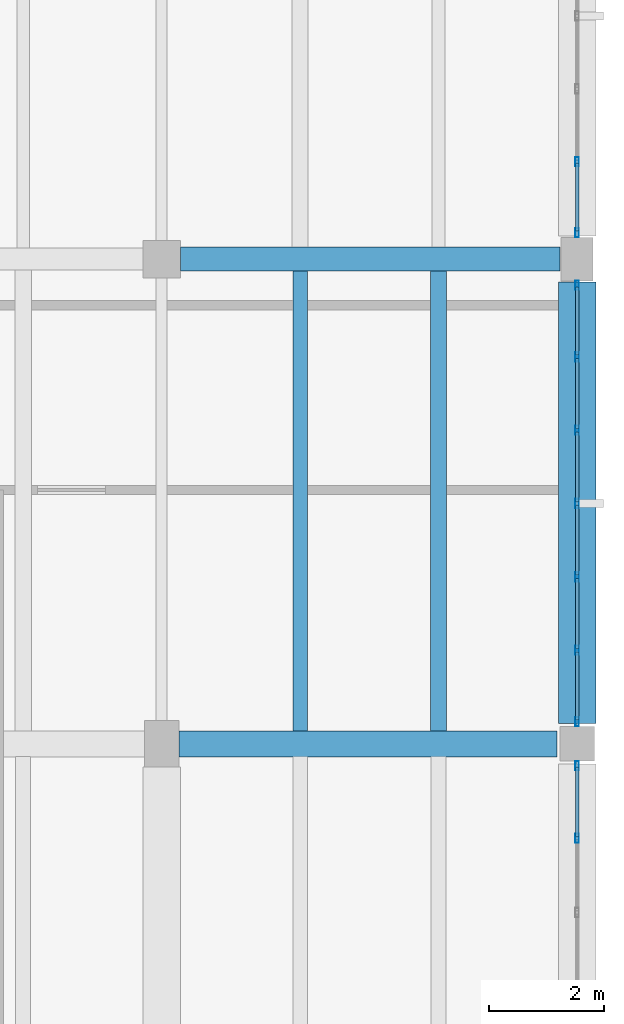
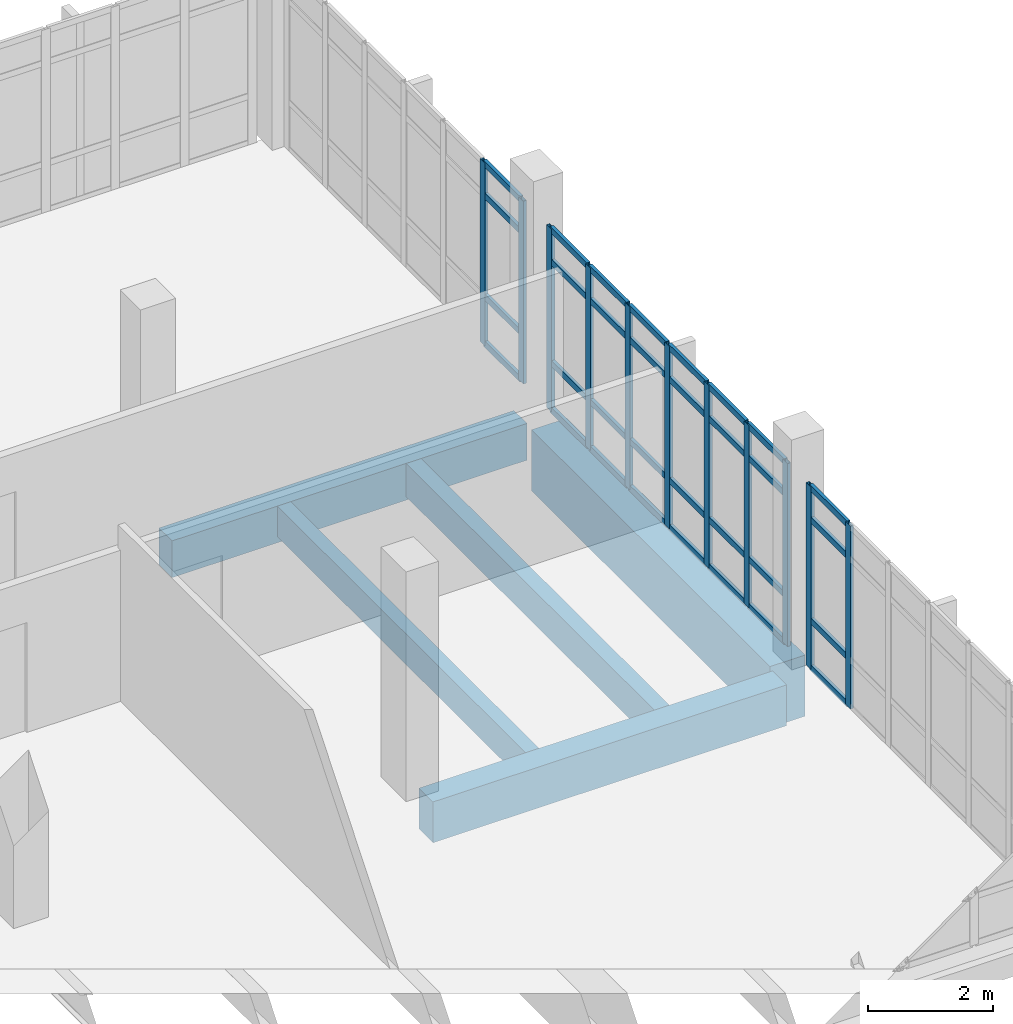
# One storey, part 77 of 116: 43 members, 5 beams, 3 elements without a shape of their own.
"""IFC4 building model written with IfcOpenShell, lengths in metres."""

import ifcopenshell
import ifcopenshell.guid

model = None  # the IFC model being written
_history = None  # IfcOwnerHistory: only IFC2X3 demands one
_inside = {}  # id of a spatial element -> (the spatial element, [elements in it])
_under = {}  # id of a project, library or spatial element -> (it, [spatial elements below it])
_declared = {}  # id of a project -> (the project, [libraries it declares])
_typed = {}  # id of a type object -> (the type object, [elements of that type])
_made_of = {}  # id of a material, layer set ... -> (it, [elements and type objects made of it])


def new_model(schema):
    """Start an empty IFC model of exactly this schema.

    Asked for "IFC4X3", IfcOpenShell would pick the latest addendum, in which some entities
    have other attributes; the version numbers below select the first issue.
    IFC2X3 requires an IfcOwnerHistory on every rooted entity: one is made here for all.
    """
    global model, _history
    if schema == "IFC4X3":
        model = ifcopenshell.file(schema_version=(4, 3, 0, 0))
    else:
        model = ifcopenshell.file(schema=schema)
    _inside.clear()
    _under.clear()
    _declared.clear()
    _typed.clear()
    _made_of.clear()
    _history = None
    if model.schema == "IFC2X3":
        org = make("IfcOrganization", Name="unknown")
        user = make(
            "IfcPersonAndOrganization",
            ThePerson=make("IfcPerson", FamilyName="unknown"),
            TheOrganization=org,
        )
        app = make(
            "IfcApplication",
            ApplicationDeveloper=org,
            Version="unknown",
            ApplicationFullName="unknown",
            ApplicationIdentifier="unknown",
        )
        _history = make(
            "IfcOwnerHistory",
            OwningUser=user,
            OwningApplication=app,
            ChangeAction="ADDED",
            CreationDate=0,
        )
    return model


def make(cls, **values):
    """One entity of the class cls with the attributes given. An attribute that is None is left unset."""
    return model.create_entity(
        cls, **{name: value for name, value in values.items() if value is not None}
    )


def rooted(cls, **values):
    """An entity with a GlobalId (a new one), such as an element, a storey or a relation."""
    return make(cls, GlobalId=ifcopenshell.guid.new(), OwnerHistory=_history, **values)


def si_unit(unit_type, name, prefix=None):
    """IfcSIUnit, for example si_unit("LENGTHUNIT", "METRE", prefix="MILLI")."""
    return make("IfcSIUnit", UnitType=unit_type, Prefix=prefix, Name=name)


def assignment(units):
    """IfcUnitAssignment: the units of a project."""
    return None if units is None else make("IfcUnitAssignment", Units=units)


def point(xyz):
    """IfcCartesianPoint."""
    return None if xyz is None else make("IfcCartesianPoint", Coordinates=xyz)


def direction(xyz):
    """IfcDirection."""
    return None if xyz is None else make("IfcDirection", DirectionRatios=xyz)


def frame(location, z_axis=None, x_axis=None):
    """IfcAxis2Placement3D, a coordinate frame: its origin and axes. An axis left out is left unset."""
    return make(
        "IfcAxis2Placement3D",
        Location=point(location),
        Axis=direction(z_axis),
        RefDirection=direction(x_axis),
    )


def frame_2d(location, x_axis=None):
    """IfcAxis2Placement2D, a coordinate frame in the plane: its origin and x axis."""
    return make(
        "IfcAxis2Placement2D", Location=point(location), RefDirection=direction(x_axis)
    )


def origin():
    """The frame at (0, 0, 0) with its axes left unset."""
    return frame((0.0, 0.0, 0.0))


def origin_2d():
    """The frame at (0, 0) in the plane with its x axis left unset."""
    return frame_2d((0.0, 0.0))


def place(relative_to, where):
    """IfcLocalPlacement: puts the frame where relative to a parent placement (None: the world)."""
    return make(
        "IfcLocalPlacement", PlacementRelTo=relative_to, RelativePlacement=where
    )


def context(
    kind, dimensions, precision=None, world=None, true_north=None, identifier=None
):
    """IfcGeometricRepresentationContext, for example the 3D "Model" context."""
    return make(
        "IfcGeometricRepresentationContext",
        ContextIdentifier=identifier,
        ContextType=kind,
        CoordinateSpaceDimension=dimensions,
        Precision=precision,
        WorldCoordinateSystem=world,
        TrueNorth=true_north,
    )


def subcontext(parent, identifier, kind, view, scale=None):
    """IfcGeometricRepresentationSubContext, for example "Body" below "Model"."""
    return make(
        "IfcGeometricRepresentationSubContext",
        ContextIdentifier=identifier,
        ContextType=kind,
        ParentContext=parent,
        TargetScale=scale,
        TargetView=view,
    )


def project(units=None, contexts=None):
    """IfcProject with its units and contexts."""
    return rooted(
        "IfcProject",
        Name="project",
        RepresentationContexts=contexts,
        UnitsInContext=assignment(units),
    )


def spatial(cls, under=None, at=None, **own):
    """A site, building, storey or space (cls), placed at a placement, below another one or the project."""
    s = rooted(cls, ObjectPlacement=at, **own)
    if under is not None:
        _under.setdefault(under.id(), (under, []))[1].append(s)
    return s


def profile(cls, at=None, kind="AREA", **sizes):
    """A parametric profile (cls). Its sizes go by their IFC names, for example OverallWidth=200.0."""
    return make(cls, ProfileType=kind, Position=at, **sizes)


def rectangle(**sizes):
    """IfcRectangleProfileDef."""
    return profile("IfcRectangleProfileDef", **sizes)


def hollow_rectangle(**sizes):
    """IfcRectangleHollowProfileDef."""
    return profile("IfcRectangleHollowProfileDef", **sizes)


def extrude(swept, where, along, depth):
    """IfcExtrudedAreaSolid: the profile swept, set in the frame where, extruded along a direction by depth."""
    return make(
        "IfcExtrudedAreaSolid",
        SweptArea=swept,
        Position=where,
        ExtrudedDirection=direction(along),
        Depth=depth,
    )


def shape(context_of_items, identifier, shape_type, items):
    """IfcShapeRepresentation: the items that make up one representation, for example the "Body"."""
    return make(
        "IfcShapeRepresentation",
        ContextOfItems=context_of_items,
        RepresentationIdentifier=identifier,
        RepresentationType=shape_type,
        Items=items,
    )


def material(Name=None, Category=None):
    """IfcMaterial."""
    return make("IfcMaterial", Name=Name, Category=Category)


def material_profile(
    of_material, cross_section, Name=None, Category=None, Priority=None
):
    """IfcMaterialProfile: a cross section and its material."""
    return make(
        "IfcMaterialProfile",
        Name=Name,
        Material=of_material,
        Profile=cross_section,
        Priority=Priority,
        Category=Category,
    )


def profile_set(profiles, Name=None, composite=None):
    """IfcMaterialProfileSet."""
    return make(
        "IfcMaterialProfileSet",
        Name=Name,
        MaterialProfiles=profiles,
        CompositeProfile=composite,
    )


def made_of(thing, what):
    """Note that an element or type object is made of a material, layer set ...; save() writes the relation."""
    if what is not None:
        _made_of.setdefault(what.id(), (what, []))[1].append(thing)
    return thing


def type_object(cls, material=None, **own):
    """A type object (cls), such as IfcWallType, which elements share."""
    return made_of(rooted(cls, **own), material)


def element(
    cls,
    number,
    at=None,
    inside=None,
    cuts=None,
    type_object=None,
    material=None,
    context=None,
    identifier="Body",
    shape_type=None,
    held_by="IfcProductDefinitionShape",
    body=None,
    shapes=None,
    **own,
):
    """One element of the class cls, such as IfcWall. Its Tag is "e" and its number.

    at: its placement. inside: the storey or other place that contains it. cuts: it is an
    opening in that element (IfcRelVoidsElement). A single representation is given by context,
    identifier, shape_type and body (its items); several are given by shapes. held_by: the class
    of the entity that holds the representations. save() writes the other relations.
    """
    e = rooted(cls, Tag="e%d" % number, ObjectPlacement=at, **own)
    if body is not None:
        shapes = [shape(context, identifier, shape_type, body)]
    if shapes is not None:
        e.Representation = make(held_by, Representations=shapes)
    if inside is not None:
        _inside.setdefault(inside.id(), (inside, []))[1].append(e)
    if cuts is not None:
        rooted(
            "IfcRelVoidsElement", RelatingBuildingElement=cuts, RelatedOpeningElement=e
        )
    if type_object is not None:
        _typed.setdefault(type_object.id(), (type_object, []))[1].append(e)
    return made_of(e, material)


def aggregate(whole, parts):
    """IfcRelAggregates: a whole, such as a stair, and the parts it consists of."""
    return rooted("IfcRelAggregates", RelatingObject=whole, RelatedObjects=parts)


def save(model, path):
    """Write the relations noted so far, then the file.

    IfcRelAggregates (storeys below a building ...), IfcRelContainedInSpatialStructure (elements
    in a storey), IfcRelDefinesByType, IfcRelAssociatesMaterial and IfcRelDeclares: one each for
    every whole, place, type object, material and project.
    """
    for whole, parts in _under.values():
        aggregate(whole, parts)
    for where, things in _inside.values():
        rooted(
            "IfcRelContainedInSpatialStructure",
            RelatedElements=things,
            RelatingStructure=where,
        )
    for kind, things in _typed.values():
        rooted("IfcRelDefinesByType", RelatedObjects=things, RelatingType=kind)
    for what, things in _made_of.values():
        rooted("IfcRelAssociatesMaterial", RelatedObjects=things, RelatingMaterial=what)
    for by, libraries in _declared.values():
        rooted("IfcRelDeclares", RelatingContext=by, RelatedDefinitions=libraries)
    model.write(path)


model = new_model("IFC4")

# Units and contexts
model_context = context("Model", 3, precision=1e-05, world=origin(), true_north=direction((0.0, 1.0)))
body_context = subcontext(model_context, "Body", "Model", "MODEL_VIEW")
ifc_project = project(units=[si_unit("LENGTHUNIT", "METRE"), si_unit("AREAUNIT", "SQUARE_METRE"), si_unit("VOLUMEUNIT", "CUBIC_METRE"), si_unit("PLANEANGLEUNIT", "RADIAN"), si_unit("MASSUNIT", "GRAM", prefix="KILO")], contexts=[model_context])

# Site, building, storey
site_placement = place(None, origin())
site = spatial("IfcSite", under=ifc_project, at=site_placement, CompositionType="ELEMENT")
building_placement = place(site_placement, origin())
building = spatial("IfcBuilding", under=site, at=building_placement, Name="Kalluvel Institute of Natural Sciences", CompositionType="ELEMENT")
storey_placement = place(building_placement, frame((0.0, 0.0, 14.39990234375)))
storey = spatial("IfcBuildingStorey", under=building, at=storey_placement, Name="L03", CompositionType="ELEMENT", Elevation=14.39990234375)

# Beams
ifc_material_1 = material(Name="Concrete M40", Category="concrete")
ifc_material_profile_1 = material_profile(ifc_material_1, rectangle(XDim=0.419921875, YDim=0.719970703125, at=origin_2d()), Name="RCB 420x720")
ifc_profile_set_1 = profile_set([ifc_material_profile_1], Name="Concrete M40")
beam_type_1 = type_object("IfcBeamType", Name="BM-RC420x720", PredefinedType="BEAM", material=ifc_profile_set_1)
beam_1_placement = place(storey_placement, frame((107.925048828125, 119.60009765625, -0.679931640625), z_axis=(1.0, 0.0, 0.0), x_axis=(0.0, 1.0, 0.0)))
element("IfcBeam", 1, at=beam_1_placement, inside=storey, type_object=beam_type_1, Name="L03 girder GIR-L03-EW-X1076-Y1196", PredefinedType="BEAM", context=body_context, shape_type="SweptSolid", body=[
    extrude(rectangle(XDim=0.419921875, YDim=0.719970703125, at=origin_2d()), origin(), (0.0, 0.0, 1.0), 6.574951171875),
])
ifc_material_profile_2 = material_profile(ifc_material_1, rectangle(XDim=0.449951171875, YDim=0.800048828125, at=origin_2d()), Name="RCB 450x800")
ifc_profile_set_2 = profile_set([ifc_material_profile_2], Name="Concrete M40")
beam_type_2 = type_object("IfcBeamType", Name="BM-RC450x800", PredefinedType="BEAM", material=ifc_profile_set_2)
beam_2_placement = place(storey_placement, frame((107.89990234375, 111.199951171875, -0.719970703125), z_axis=(1.0, 0.0, 0.0), x_axis=(0.0, 1.0, 0.0)))
element("IfcBeam", 2, at=beam_2_placement, inside=storey, type_object=beam_type_2, Name="L03 girder GIR-L03-EW-X1076-Y1112", PredefinedType="BEAM", context=body_context, shape_type="SweptSolid", body=[
    extrude(rectangle(XDim=0.449951171875, YDim=0.800048828125, at=origin_2d()), origin(), (0.0, 0.0, 1.0), 6.550048828125),
])
ifc_material_2 = material(Name="Concrete M50", Category="concrete")
ifc_material_profile_3 = material_profile(ifc_material_2, rectangle(XDim=0.64990234375, YDim=1.199951171875, at=origin_2d()), Name="RCB 650x1200")
ifc_profile_set_3 = profile_set([ifc_material_profile_3], Name="Concrete M50")
beam_type_3 = type_object("IfcBeamType", Name="BM-RC650x1200", PredefinedType="BEAM", material=ifc_profile_set_3)
beam_3_placement = place(storey_placement, frame((114.800048828125, 111.550048828125, -0.919921875), z_axis=(0.0, 1.0, 0.0), x_axis=(-1.0, 0.0, 0.0)))
element("IfcBeam", 3, at=beam_3_placement, inside=storey, type_object=beam_type_3, Name="L03 girder GIR-L03-NS-X1148-Y1112", PredefinedType="BEAM", context=body_context, shape_type="SweptSolid", body=[
    extrude(rectangle(XDim=0.64990234375, YDim=1.199951171875, at=origin_2d()), origin(), (0.0, 0.0, 1.0), 7.64990234375),
])

# Curtain wall, members
ifc_material_3 = material(Name="Aluminium AW-6063 T6", Category="aluminium")
curtain_wall_type = type_object("IfcCurtainWallType", Name="CW-WET-45", PredefinedType="USERDEFINED", material=ifc_material_3)
curtain_wall_1_placement = place(storey_placement, origin())
curtain_wall_1 = element("IfcCurtainWall", 4, at=curtain_wall_1_placement, inside=storey, type_object=curtain_wall_type, Name="L03 Gothic lancet curtain wall CWA-L03-X1148-Y1031", ObjectType="UNITISED LANCET FACADE", PredefinedType="USERDEFINED")
ifc_material_profile_4 = material_profile(ifc_material_3, hollow_rectangle(XDim=0.06005859375, YDim=0.159912109375, WallThickness=0.00390625, at=origin_2d()), Name="CWM 60x160")
ifc_profile_set_4 = profile_set([ifc_material_profile_4], Name="Aluminium AW-6063 T6")
member_type_1 = type_object("IfcMemberType", Name="CWM-60x160", PredefinedType="MULLION", material=ifc_profile_set_4)
member_1_placement = place(storey_placement, frame((114.800048828125, 109.5625, 0.0), z_axis=(0.0, 0.0, 1.0), x_axis=(-1.0, 0.0, 0.0)))
member_1 = element("IfcMember", 5, at=member_1_placement, type_object=member_type_1, Name="CW-01 mullion 6", PredefinedType="MULLION", context=body_context, shape_type="SweptSolid", body=[
    extrude(hollow_rectangle(XDim=0.06005859375, YDim=0.159912109375, WallThickness=0.00390625, at=origin_2d()), origin(), (0.0, 0.0, 1.0), 3.580078125),
])
member_2_placement = place(storey_placement, frame((114.800048828125, 110.820068359375, 0.0), z_axis=(0.0, 0.0, 1.0), x_axis=(-1.0, 0.0, 0.0)))
member_2 = element("IfcMember", 6, at=member_2_placement, type_object=member_type_1, Name="CW-01 mullion 7", PredefinedType="MULLION", context=body_context, shape_type="SweptSolid", body=[
    extrude(hollow_rectangle(XDim=0.06005859375, YDim=0.159912109375, WallThickness=0.00390625, at=origin_2d()), origin(), (0.0, 0.0, 1.0), 3.580078125),
])

curtain_wall_2_placement = place(storey_placement, origin())
curtain_wall_2 = element("IfcCurtainWall", 7, at=curtain_wall_2_placement, inside=storey, type_object=curtain_wall_type, Name="L03 Gothic lancet curtain wall CWA-L03-X1148-Y1116", ObjectType="UNITISED LANCET FACADE", PredefinedType="USERDEFINED")
member_3_placement = place(storey_placement, frame((114.800048828125, 111.580078125, 0.0), z_axis=(0.0, 0.0, 1.0), x_axis=(-1.0, 0.0, 0.0)))
member_3 = element("IfcMember", 8, at=member_3_placement, type_object=member_type_1, Name="CW-01 mullion 1", PredefinedType="MULLION", context=body_context, shape_type="SweptSolid", body=[
    extrude(hollow_rectangle(XDim=0.06005859375, YDim=0.159912109375, WallThickness=0.00390625, at=origin_2d()), origin(), (0.0, 0.0, 1.0), 3.580078125),
])
member_4_placement = place(storey_placement, frame((114.800048828125, 112.82080078125, 0.0), z_axis=(0.0, 0.0, 1.0), x_axis=(-1.0, 0.0, 0.0)))
member_4 = element("IfcMember", 9, at=member_4_placement, type_object=member_type_1, Name="CW-01 mullion 2", PredefinedType="MULLION", context=body_context, shape_type="SweptSolid", body=[
    extrude(hollow_rectangle(XDim=0.06005859375, YDim=0.159912109375, WallThickness=0.00390625, at=origin_2d()), origin(), (0.0, 0.0, 1.0), 3.580078125),
])
member_5_placement = place(storey_placement, frame((114.800048828125, 114.091552734375, 0.0), z_axis=(0.0, 0.0, 1.0), x_axis=(-1.0, 0.0, 0.0)))
member_5 = element("IfcMember", 10, at=member_5_placement, type_object=member_type_1, Name="CW-01 mullion 3", PredefinedType="MULLION", context=body_context, shape_type="SweptSolid", body=[
    extrude(hollow_rectangle(XDim=0.06005859375, YDim=0.159912109375, WallThickness=0.00390625, at=origin_2d()), origin(), (0.0, 0.0, 1.0), 3.580078125),
])
member_6_placement = place(storey_placement, frame((114.800048828125, 115.362548828125, 0.0), z_axis=(0.0, 0.0, 1.0), x_axis=(-1.0, 0.0, 0.0)))
member_6 = element("IfcMember", 11, at=member_6_placement, type_object=member_type_1, Name="CW-01 mullion 4", PredefinedType="MULLION", context=body_context, shape_type="SweptSolid", body=[
    extrude(hollow_rectangle(XDim=0.06005859375, YDim=0.159912109375, WallThickness=0.00390625, at=origin_2d()), origin(), (0.0, 0.0, 1.0), 3.580078125),
])
member_7_placement = place(storey_placement, frame((114.800048828125, 116.63330078125, 0.0), z_axis=(0.0, 0.0, 1.0), x_axis=(-1.0, 0.0, 0.0)))
member_7 = element("IfcMember", 12, at=member_7_placement, type_object=member_type_1, Name="CW-01 mullion 5", PredefinedType="MULLION", context=body_context, shape_type="SweptSolid", body=[
    extrude(hollow_rectangle(XDim=0.06005859375, YDim=0.159912109375, WallThickness=0.00390625, at=origin_2d()), origin(), (0.0, 0.0, 1.0), 3.580078125),
])
member_8_placement = place(storey_placement, frame((114.800048828125, 117.904052734375, 0.0), z_axis=(0.0, 0.0, 1.0), x_axis=(-1.0, 0.0, 0.0)))
member_8 = element("IfcMember", 13, at=member_8_placement, type_object=member_type_1, Name="CW-01 mullion 6", PredefinedType="MULLION", context=body_context, shape_type="SweptSolid", body=[
    extrude(hollow_rectangle(XDim=0.06005859375, YDim=0.159912109375, WallThickness=0.00390625, at=origin_2d()), origin(), (0.0, 0.0, 1.0), 3.580078125),
])
member_9_placement = place(storey_placement, frame((114.800048828125, 119.14501953125, 0.0), z_axis=(0.0, 0.0, 1.0), x_axis=(-1.0, 0.0, 0.0)))
member_9 = element("IfcMember", 14, at=member_9_placement, type_object=member_type_1, Name="CW-01 mullion 7", PredefinedType="MULLION", context=body_context, shape_type="SweptSolid", body=[
    extrude(hollow_rectangle(XDim=0.06005859375, YDim=0.159912109375, WallThickness=0.00390625, at=origin_2d()), origin(), (0.0, 0.0, 1.0), 3.580078125),
])

curtain_wall_3_placement = place(storey_placement, origin())
curtain_wall_3 = element("IfcCurtainWall", 15, at=curtain_wall_3_placement, inside=storey, type_object=curtain_wall_type, Name="L03 Gothic lancet curtain wall CWA-L03-X1148-Y1200", ObjectType="UNITISED LANCET FACADE", PredefinedType="USERDEFINED")
member_10_placement = place(storey_placement, frame((114.800048828125, 120.054931640625, 0.0), z_axis=(0.0, 0.0, 1.0), x_axis=(-1.0, 0.0, 0.0)))
member_10 = element("IfcMember", 16, at=member_10_placement, type_object=member_type_1, Name="CW-01 mullion 1", PredefinedType="MULLION", context=body_context, shape_type="SweptSolid", body=[
    extrude(hollow_rectangle(XDim=0.06005859375, YDim=0.159912109375, WallThickness=0.00390625, at=origin_2d()), origin(), (0.0, 0.0, 1.0), 3.580078125),
])
member_11_placement = place(storey_placement, frame((114.800048828125, 121.28759765625, 0.0), z_axis=(0.0, 0.0, 1.0), x_axis=(-1.0, 0.0, 0.0)))
member_11 = element("IfcMember", 17, at=member_11_placement, type_object=member_type_1, Name="CW-01 mullion 2", PredefinedType="MULLION", context=body_context, shape_type="SweptSolid", body=[
    extrude(hollow_rectangle(XDim=0.06005859375, YDim=0.159912109375, WallThickness=0.00390625, at=origin_2d()), origin(), (0.0, 0.0, 1.0), 3.580078125),
])

# Member
ifc_material_profile_5 = material_profile(ifc_material_3, hollow_rectangle(XDim=0.06005859375, YDim=0.1201171875, WallThickness=0.00390625, at=origin_2d()), Name="CWT 60x120")
ifc_profile_set_5 = profile_set([ifc_material_profile_5], Name="Aluminium AW-6063 T6")
member_type_2 = type_object("IfcMemberType", Name="CWT-60x120", PredefinedType="USERDEFINED", material=ifc_profile_set_5)
member_12_placement = place(storey_placement, frame((114.800048828125, 109.592529296875, 0.030029296875), z_axis=(0.0, 1.0, 0.0), x_axis=(-1.0, 0.0, 0.0)))
member_12 = element("IfcMember", 18, at=member_12_placement, type_object=member_type_2, Name="CW-01 transom 6.1", ObjectType="TRANSOM", PredefinedType="USERDEFINED", context=body_context, shape_type="SweptSolid", body=[
    extrude(hollow_rectangle(XDim=0.06005859375, YDim=0.1201171875, WallThickness=0.00390625, at=origin_2d()), origin(), (0.0, 0.0, 1.0), 1.197509765625),
])

member_13_placement = place(storey_placement, frame((114.800048828125, 109.592529296875, 0.9501953125), z_axis=(0.0, 1.0, 0.0), x_axis=(-1.0, 0.0, 0.0)))
member_13 = element("IfcMember", 19, at=member_13_placement, type_object=member_type_2, Name="CW-01 transom 6.2", ObjectType="TRANSOM", PredefinedType="USERDEFINED", context=body_context, shape_type="SweptSolid", body=[
    extrude(hollow_rectangle(XDim=0.06005859375, YDim=0.1201171875, WallThickness=0.00390625, at=origin_2d()), origin(), (0.0, 0.0, 1.0), 1.197509765625),
])

member_14_placement = place(storey_placement, frame((114.800048828125, 109.592529296875, 2.93017578125), z_axis=(0.0, 1.0, 0.0), x_axis=(-1.0, 0.0, 0.0)))
member_14 = element("IfcMember", 20, at=member_14_placement, type_object=member_type_2, Name="CW-01 transom 6.3", ObjectType="TRANSOM", PredefinedType="USERDEFINED", context=body_context, shape_type="SweptSolid", body=[
    extrude(hollow_rectangle(XDim=0.06005859375, YDim=0.1201171875, WallThickness=0.00390625, at=origin_2d()), origin(), (0.0, 0.0, 1.0), 1.197509765625),
])

member_15_placement = place(storey_placement, frame((114.800048828125, 109.592529296875, 3.550048828125), z_axis=(0.0, 1.0, 0.0), x_axis=(-1.0, 0.0, 0.0)))
member_15 = element("IfcMember", 21, at=member_15_placement, type_object=member_type_2, Name="CW-01 transom 6.4", ObjectType="TRANSOM", PredefinedType="USERDEFINED", context=body_context, shape_type="SweptSolid", body=[
    extrude(hollow_rectangle(XDim=0.06005859375, YDim=0.1201171875, WallThickness=0.00390625, at=origin_2d()), origin(), (0.0, 0.0, 1.0), 1.197509765625),
])

aggregate(curtain_wall_1, [member_1, member_2, member_12, member_13, member_14, member_15])

member_16_placement = place(storey_placement, frame((114.800048828125, 111.610107421875, 0.030029296875), z_axis=(0.0, 1.0, 0.0), x_axis=(-1.0, 0.0, 0.0)))
member_16 = element("IfcMember", 22, at=member_16_placement, type_object=member_type_2, Name="CW-01 transom 1.1", ObjectType="TRANSOM", PredefinedType="USERDEFINED", context=body_context, shape_type="SweptSolid", body=[
    extrude(hollow_rectangle(XDim=0.06005859375, YDim=0.1201171875, WallThickness=0.00390625, at=origin_2d()), origin(), (0.0, 0.0, 1.0), 1.1806640625),
])

member_17_placement = place(storey_placement, frame((114.800048828125, 111.610107421875, 0.9501953125), z_axis=(0.0, 1.0, 0.0), x_axis=(-1.0, 0.0, 0.0)))
member_17 = element("IfcMember", 23, at=member_17_placement, type_object=member_type_2, Name="CW-01 transom 1.2", ObjectType="TRANSOM", PredefinedType="USERDEFINED", context=body_context, shape_type="SweptSolid", body=[
    extrude(hollow_rectangle(XDim=0.06005859375, YDim=0.1201171875, WallThickness=0.00390625, at=origin_2d()), origin(), (0.0, 0.0, 1.0), 1.1806640625),
])

member_18_placement = place(storey_placement, frame((114.800048828125, 111.610107421875, 2.93017578125), z_axis=(0.0, 1.0, 0.0), x_axis=(-1.0, 0.0, 0.0)))
member_18 = element("IfcMember", 24, at=member_18_placement, type_object=member_type_2, Name="CW-01 transom 1.3", ObjectType="TRANSOM", PredefinedType="USERDEFINED", context=body_context, shape_type="SweptSolid", body=[
    extrude(hollow_rectangle(XDim=0.06005859375, YDim=0.1201171875, WallThickness=0.00390625, at=origin_2d()), origin(), (0.0, 0.0, 1.0), 1.1806640625),
])

member_19_placement = place(storey_placement, frame((114.800048828125, 111.610107421875, 3.550048828125), z_axis=(0.0, 1.0, 0.0), x_axis=(-1.0, 0.0, 0.0)))
member_19 = element("IfcMember", 25, at=member_19_placement, type_object=member_type_2, Name="CW-01 transom 1.4", ObjectType="TRANSOM", PredefinedType="USERDEFINED", context=body_context, shape_type="SweptSolid", body=[
    extrude(hollow_rectangle(XDim=0.06005859375, YDim=0.1201171875, WallThickness=0.00390625, at=origin_2d()), origin(), (0.0, 0.0, 1.0), 1.1806640625),
])

member_20_placement = place(storey_placement, frame((114.800048828125, 112.850830078125, 0.030029296875), z_axis=(0.0, 1.0, 0.0), x_axis=(-1.0, 0.0, 0.0)))
member_20 = element("IfcMember", 26, at=member_20_placement, type_object=member_type_2, Name="CW-01 transom 2.1", ObjectType="TRANSOM", PredefinedType="USERDEFINED", context=body_context, shape_type="SweptSolid", body=[
    extrude(hollow_rectangle(XDim=0.06005859375, YDim=0.1201171875, WallThickness=0.00390625, at=origin_2d()), origin(), (0.0, 0.0, 1.0), 1.2109375),
])

member_21_placement = place(storey_placement, frame((114.800048828125, 112.850830078125, 0.9501953125), z_axis=(0.0, 1.0, 0.0), x_axis=(-1.0, 0.0, 0.0)))
member_21 = element("IfcMember", 27, at=member_21_placement, type_object=member_type_2, Name="CW-01 transom 2.2", ObjectType="TRANSOM", PredefinedType="USERDEFINED", context=body_context, shape_type="SweptSolid", body=[
    extrude(hollow_rectangle(XDim=0.06005859375, YDim=0.1201171875, WallThickness=0.00390625, at=origin_2d()), origin(), (0.0, 0.0, 1.0), 1.2109375),
])

member_22_placement = place(storey_placement, frame((114.800048828125, 112.850830078125, 2.93017578125), z_axis=(0.0, 1.0, 0.0), x_axis=(-1.0, 0.0, 0.0)))
member_22 = element("IfcMember", 28, at=member_22_placement, type_object=member_type_2, Name="CW-01 transom 2.3", ObjectType="TRANSOM", PredefinedType="USERDEFINED", context=body_context, shape_type="SweptSolid", body=[
    extrude(hollow_rectangle(XDim=0.06005859375, YDim=0.1201171875, WallThickness=0.00390625, at=origin_2d()), origin(), (0.0, 0.0, 1.0), 1.2109375),
])

member_23_placement = place(storey_placement, frame((114.800048828125, 112.850830078125, 3.550048828125), z_axis=(0.0, 1.0, 0.0), x_axis=(-1.0, 0.0, 0.0)))
member_23 = element("IfcMember", 29, at=member_23_placement, type_object=member_type_2, Name="CW-01 transom 2.4", ObjectType="TRANSOM", PredefinedType="USERDEFINED", context=body_context, shape_type="SweptSolid", body=[
    extrude(hollow_rectangle(XDim=0.06005859375, YDim=0.1201171875, WallThickness=0.00390625, at=origin_2d()), origin(), (0.0, 0.0, 1.0), 1.2109375),
])

member_24_placement = place(storey_placement, frame((114.800048828125, 114.12158203125, 0.030029296875), z_axis=(0.0, 1.0, 0.0), x_axis=(-1.0, 0.0, 0.0)))
member_24 = element("IfcMember", 30, at=member_24_placement, type_object=member_type_2, Name="CW-01 transom 3.1", ObjectType="TRANSOM", PredefinedType="USERDEFINED", context=body_context, shape_type="SweptSolid", body=[
    extrude(hollow_rectangle(XDim=0.06005859375, YDim=0.1201171875, WallThickness=0.00390625, at=origin_2d()), origin(), (0.0, 0.0, 1.0), 1.2109375),
])

member_25_placement = place(storey_placement, frame((114.800048828125, 114.12158203125, 0.9501953125), z_axis=(0.0, 1.0, 0.0), x_axis=(-1.0, 0.0, 0.0)))
member_25 = element("IfcMember", 31, at=member_25_placement, type_object=member_type_2, Name="CW-01 transom 3.2", ObjectType="TRANSOM", PredefinedType="USERDEFINED", context=body_context, shape_type="SweptSolid", body=[
    extrude(hollow_rectangle(XDim=0.06005859375, YDim=0.1201171875, WallThickness=0.00390625, at=origin_2d()), origin(), (0.0, 0.0, 1.0), 1.2109375),
])

member_26_placement = place(storey_placement, frame((114.800048828125, 114.12158203125, 2.93017578125), z_axis=(0.0, 1.0, 0.0), x_axis=(-1.0, 0.0, 0.0)))
member_26 = element("IfcMember", 32, at=member_26_placement, type_object=member_type_2, Name="CW-01 transom 3.3", ObjectType="TRANSOM", PredefinedType="USERDEFINED", context=body_context, shape_type="SweptSolid", body=[
    extrude(hollow_rectangle(XDim=0.06005859375, YDim=0.1201171875, WallThickness=0.00390625, at=origin_2d()), origin(), (0.0, 0.0, 1.0), 1.2109375),
])

member_27_placement = place(storey_placement, frame((114.800048828125, 114.12158203125, 3.550048828125), z_axis=(0.0, 1.0, 0.0), x_axis=(-1.0, 0.0, 0.0)))
member_27 = element("IfcMember", 33, at=member_27_placement, type_object=member_type_2, Name="CW-01 transom 3.4", ObjectType="TRANSOM", PredefinedType="USERDEFINED", context=body_context, shape_type="SweptSolid", body=[
    extrude(hollow_rectangle(XDim=0.06005859375, YDim=0.1201171875, WallThickness=0.00390625, at=origin_2d()), origin(), (0.0, 0.0, 1.0), 1.2109375),
])

member_28_placement = place(storey_placement, frame((114.800048828125, 115.392578125, 0.030029296875), z_axis=(0.0, 1.0, 0.0), x_axis=(-1.0, 0.0, 0.0)))
member_28 = element("IfcMember", 34, at=member_28_placement, type_object=member_type_2, Name="CW-01 transom 4.1", ObjectType="TRANSOM", PredefinedType="USERDEFINED", context=body_context, shape_type="SweptSolid", body=[
    extrude(hollow_rectangle(XDim=0.06005859375, YDim=0.1201171875, WallThickness=0.00390625, at=origin_2d()), origin(), (0.0, 0.0, 1.0), 1.210693359375),
])

member_29_placement = place(storey_placement, frame((114.800048828125, 115.392578125, 0.9501953125), z_axis=(0.0, 1.0, 0.0), x_axis=(-1.0, 0.0, 0.0)))
member_29 = element("IfcMember", 35, at=member_29_placement, type_object=member_type_2, Name="CW-01 transom 4.2", ObjectType="TRANSOM", PredefinedType="USERDEFINED", context=body_context, shape_type="SweptSolid", body=[
    extrude(hollow_rectangle(XDim=0.06005859375, YDim=0.1201171875, WallThickness=0.00390625, at=origin_2d()), origin(), (0.0, 0.0, 1.0), 1.210693359375),
])

member_30_placement = place(storey_placement, frame((114.800048828125, 115.392578125, 2.93017578125), z_axis=(0.0, 1.0, 0.0), x_axis=(-1.0, 0.0, 0.0)))
member_30 = element("IfcMember", 36, at=member_30_placement, type_object=member_type_2, Name="CW-01 transom 4.3", ObjectType="TRANSOM", PredefinedType="USERDEFINED", context=body_context, shape_type="SweptSolid", body=[
    extrude(hollow_rectangle(XDim=0.06005859375, YDim=0.1201171875, WallThickness=0.00390625, at=origin_2d()), origin(), (0.0, 0.0, 1.0), 1.210693359375),
])

member_31_placement = place(storey_placement, frame((114.800048828125, 115.392578125, 3.550048828125), z_axis=(0.0, 1.0, 0.0), x_axis=(-1.0, 0.0, 0.0)))
member_31 = element("IfcMember", 37, at=member_31_placement, type_object=member_type_2, Name="CW-01 transom 4.4", ObjectType="TRANSOM", PredefinedType="USERDEFINED", context=body_context, shape_type="SweptSolid", body=[
    extrude(hollow_rectangle(XDim=0.06005859375, YDim=0.1201171875, WallThickness=0.00390625, at=origin_2d()), origin(), (0.0, 0.0, 1.0), 1.210693359375),
])

member_32_placement = place(storey_placement, frame((114.800048828125, 116.663330078125, 0.030029296875), z_axis=(0.0, 1.0, 0.0), x_axis=(-1.0, 0.0, 0.0)))
member_32 = element("IfcMember", 38, at=member_32_placement, type_object=member_type_2, Name="CW-01 transom 5.1", ObjectType="TRANSOM", PredefinedType="USERDEFINED", context=body_context, shape_type="SweptSolid", body=[
    extrude(hollow_rectangle(XDim=0.06005859375, YDim=0.1201171875, WallThickness=0.00390625, at=origin_2d()), origin(), (0.0, 0.0, 1.0), 1.2109375),
])

member_33_placement = place(storey_placement, frame((114.800048828125, 116.663330078125, 0.9501953125), z_axis=(0.0, 1.0, 0.0), x_axis=(-1.0, 0.0, 0.0)))
member_33 = element("IfcMember", 39, at=member_33_placement, type_object=member_type_2, Name="CW-01 transom 5.2", ObjectType="TRANSOM", PredefinedType="USERDEFINED", context=body_context, shape_type="SweptSolid", body=[
    extrude(hollow_rectangle(XDim=0.06005859375, YDim=0.1201171875, WallThickness=0.00390625, at=origin_2d()), origin(), (0.0, 0.0, 1.0), 1.2109375),
])

member_34_placement = place(storey_placement, frame((114.800048828125, 116.663330078125, 2.93017578125), z_axis=(0.0, 1.0, 0.0), x_axis=(-1.0, 0.0, 0.0)))
member_34 = element("IfcMember", 40, at=member_34_placement, type_object=member_type_2, Name="CW-01 transom 5.3", ObjectType="TRANSOM", PredefinedType="USERDEFINED", context=body_context, shape_type="SweptSolid", body=[
    extrude(hollow_rectangle(XDim=0.06005859375, YDim=0.1201171875, WallThickness=0.00390625, at=origin_2d()), origin(), (0.0, 0.0, 1.0), 1.2109375),
])

member_35_placement = place(storey_placement, frame((114.800048828125, 116.663330078125, 3.550048828125), z_axis=(0.0, 1.0, 0.0), x_axis=(-1.0, 0.0, 0.0)))
member_35 = element("IfcMember", 41, at=member_35_placement, type_object=member_type_2, Name="CW-01 transom 5.4", ObjectType="TRANSOM", PredefinedType="USERDEFINED", context=body_context, shape_type="SweptSolid", body=[
    extrude(hollow_rectangle(XDim=0.06005859375, YDim=0.1201171875, WallThickness=0.00390625, at=origin_2d()), origin(), (0.0, 0.0, 1.0), 1.2109375),
])

member_36_placement = place(storey_placement, frame((114.800048828125, 117.93408203125, 0.030029296875), z_axis=(0.0, 1.0, 0.0), x_axis=(-1.0, 0.0, 0.0)))
member_36 = element("IfcMember", 42, at=member_36_placement, type_object=member_type_2, Name="CW-01 transom 6.1", ObjectType="TRANSOM", PredefinedType="USERDEFINED", context=body_context, shape_type="SweptSolid", body=[
    extrude(hollow_rectangle(XDim=0.06005859375, YDim=0.1201171875, WallThickness=0.00390625, at=origin_2d()), origin(), (0.0, 0.0, 1.0), 1.180908203125),
])

member_37_placement = place(storey_placement, frame((114.800048828125, 117.93408203125, 0.9501953125), z_axis=(0.0, 1.0, 0.0), x_axis=(-1.0, 0.0, 0.0)))
member_37 = element("IfcMember", 43, at=member_37_placement, type_object=member_type_2, Name="CW-01 transom 6.2", ObjectType="TRANSOM", PredefinedType="USERDEFINED", context=body_context, shape_type="SweptSolid", body=[
    extrude(hollow_rectangle(XDim=0.06005859375, YDim=0.1201171875, WallThickness=0.00390625, at=origin_2d()), origin(), (0.0, 0.0, 1.0), 1.180908203125),
])

member_38_placement = place(storey_placement, frame((114.800048828125, 117.93408203125, 2.93017578125), z_axis=(0.0, 1.0, 0.0), x_axis=(-1.0, 0.0, 0.0)))
member_38 = element("IfcMember", 44, at=member_38_placement, type_object=member_type_2, Name="CW-01 transom 6.3", ObjectType="TRANSOM", PredefinedType="USERDEFINED", context=body_context, shape_type="SweptSolid", body=[
    extrude(hollow_rectangle(XDim=0.06005859375, YDim=0.1201171875, WallThickness=0.00390625, at=origin_2d()), origin(), (0.0, 0.0, 1.0), 1.180908203125),
])

member_39_placement = place(storey_placement, frame((114.800048828125, 117.93408203125, 3.550048828125), z_axis=(0.0, 1.0, 0.0), x_axis=(-1.0, 0.0, 0.0)))
member_39 = element("IfcMember", 45, at=member_39_placement, type_object=member_type_2, Name="CW-01 transom 6.4", ObjectType="TRANSOM", PredefinedType="USERDEFINED", context=body_context, shape_type="SweptSolid", body=[
    extrude(hollow_rectangle(XDim=0.06005859375, YDim=0.1201171875, WallThickness=0.00390625, at=origin_2d()), origin(), (0.0, 0.0, 1.0), 1.180908203125),
])

aggregate(curtain_wall_2, [member_3, member_4, member_5, member_6, member_7, member_8, member_9, member_16, member_17, member_18, member_19, member_20, member_21, member_22, member_23, member_24, member_25, member_26, member_27, member_28, member_29, member_30, member_31, member_32, member_33, member_34, member_35, member_36, member_37, member_38, member_39])

member_40_placement = place(storey_placement, frame((114.800048828125, 120.0849609375, 0.030029296875), z_axis=(0.0, 1.0, 0.0), x_axis=(-1.0, 0.0, 0.0)))
member_40 = element("IfcMember", 46, at=member_40_placement, type_object=member_type_2, Name="CW-01 transom 1.1", ObjectType="TRANSOM", PredefinedType="USERDEFINED", context=body_context, shape_type="SweptSolid", body=[
    extrude(hollow_rectangle(XDim=0.06005859375, YDim=0.1201171875, WallThickness=0.00390625, at=origin_2d()), origin(), (0.0, 0.0, 1.0), 1.172607421875),
])

member_41_placement = place(storey_placement, frame((114.800048828125, 120.0849609375, 0.9501953125), z_axis=(0.0, 1.0, 0.0), x_axis=(-1.0, 0.0, 0.0)))
member_41 = element("IfcMember", 47, at=member_41_placement, type_object=member_type_2, Name="CW-01 transom 1.2", ObjectType="TRANSOM", PredefinedType="USERDEFINED", context=body_context, shape_type="SweptSolid", body=[
    extrude(hollow_rectangle(XDim=0.06005859375, YDim=0.1201171875, WallThickness=0.00390625, at=origin_2d()), origin(), (0.0, 0.0, 1.0), 1.172607421875),
])

member_42_placement = place(storey_placement, frame((114.800048828125, 120.0849609375, 2.93017578125), z_axis=(0.0, 1.0, 0.0), x_axis=(-1.0, 0.0, 0.0)))
member_42 = element("IfcMember", 48, at=member_42_placement, type_object=member_type_2, Name="CW-01 transom 1.3", ObjectType="TRANSOM", PredefinedType="USERDEFINED", context=body_context, shape_type="SweptSolid", body=[
    extrude(hollow_rectangle(XDim=0.06005859375, YDim=0.1201171875, WallThickness=0.00390625, at=origin_2d()), origin(), (0.0, 0.0, 1.0), 1.172607421875),
])

member_43_placement = place(storey_placement, frame((114.800048828125, 120.0849609375, 3.550048828125), z_axis=(0.0, 1.0, 0.0), x_axis=(-1.0, 0.0, 0.0)))
member_43 = element("IfcMember", 49, at=member_43_placement, type_object=member_type_2, Name="CW-01 transom 1.4", ObjectType="TRANSOM", PredefinedType="USERDEFINED", context=body_context, shape_type="SweptSolid", body=[
    extrude(hollow_rectangle(XDim=0.06005859375, YDim=0.1201171875, WallThickness=0.00390625, at=origin_2d()), origin(), (0.0, 0.0, 1.0), 1.172607421875),
])

aggregate(curtain_wall_3, [member_10, member_11, member_40, member_41, member_42, member_43])

# Beams
ifc_material_profile_6 = material_profile(ifc_material_1, rectangle(XDim=0.25, YDim=0.60009765625, at=origin_2d()), Name="WAF 250x600")
ifc_profile_set_6 = profile_set([ifc_material_profile_6], Name="Concrete M40")
beam_type_4 = type_object("IfcBeamType", Name="WJ-250x600", PredefinedType="JOIST", material=ifc_profile_set_6)
beam_4_placement = place(storey_placement, frame((110.0, 111.425048828125, -0.619873046875), z_axis=(0.0, 1.0, 0.0), x_axis=(-1.0, 0.0, 0.0)))
element("IfcBeam", 50, at=beam_4_placement, inside=storey, type_object=beam_type_4, Name="L03 waffle joist RIB-L03-0289", PredefinedType="JOIST", context=body_context, shape_type="SweptSolid", body=[
    extrude(rectangle(XDim=0.25, YDim=0.60009765625, at=origin_2d()), origin(), (0.0, 0.0, 1.0), 7.96484375),
])
ifc_material_profile_7 = material_profile(ifc_material_2, rectangle(XDim=0.280029296875, YDim=0.64990234375, at=origin_2d()), Name="WAF 280x650")
ifc_profile_set_7 = profile_set([ifc_material_profile_7], Name="Concrete M50")
beam_type_5 = type_object("IfcBeamType", Name="WJ-280x650", PredefinedType="JOIST", material=ifc_profile_set_7)
beam_5_placement = place(storey_placement, frame((112.39990234375, 111.425048828125, -0.64501953125), z_axis=(0.0, 1.0, 0.0), x_axis=(-1.0, 0.0, 0.0)))
element("IfcBeam", 51, at=beam_5_placement, inside=storey, type_object=beam_type_5, Name="L03 waffle joist RIB-L03-0290", PredefinedType="JOIST", context=body_context, shape_type="SweptSolid", body=[
    extrude(rectangle(XDim=0.280029296875, YDim=0.64990234375, at=origin_2d()), origin(), (0.0, 0.0, 1.0), 7.96484375),
])

save(model, "model.ifc")
